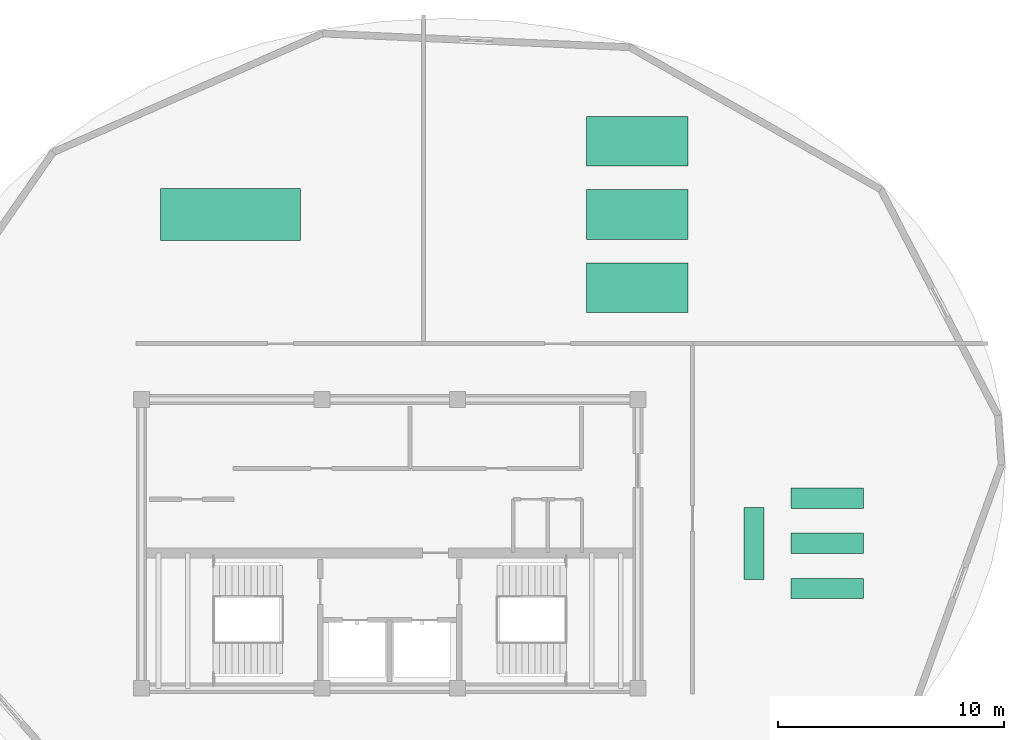
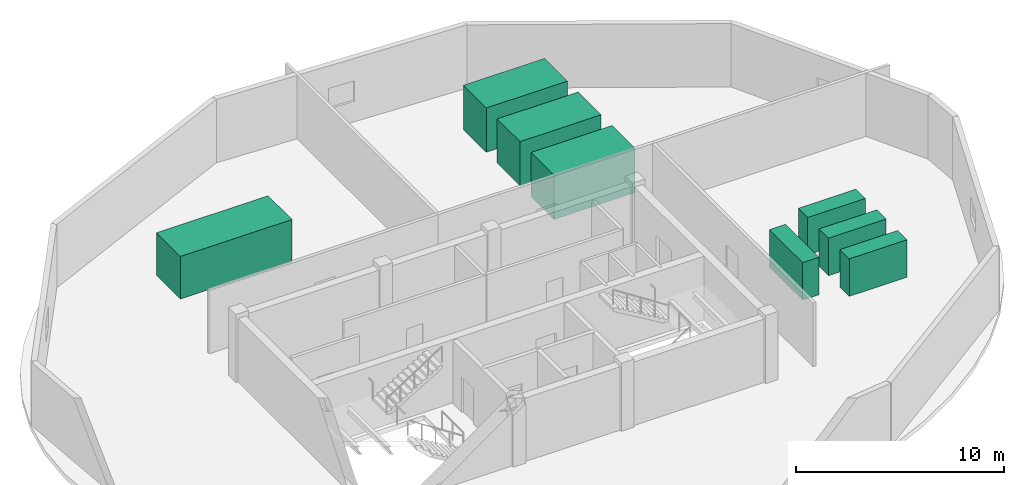
# One storey, part 4 of 4: 4 electric distribution boards, 3 air to air heat recovery elements, 1 chiller.
"""IFC4 building model written with IfcOpenShell, lengths in metres."""

from ifc_helpers import new_model, si_unit, direction, frame, origin, origin_2d, place, context, subcontext, project, spatial, rectangle, extrude, material, type_object, element, save


model = new_model("IFC4")

# Units and contexts
model_context = context("Model", 3, precision=1e-05, world=origin(), true_north=direction((0.0, 1.0)))
body_context = subcontext(model_context, "Body", "Model", "MODEL_VIEW")
ifc_project = project(units=[si_unit("LENGTHUNIT", "METRE"), si_unit("AREAUNIT", "SQUARE_METRE"), si_unit("VOLUMEUNIT", "CUBIC_METRE"), si_unit("PLANEANGLEUNIT", "RADIAN"), si_unit("MASSUNIT", "GRAM", prefix="KILO")], contexts=[model_context])

# Site, building, storey
site_placement = place(None, origin())
site = spatial("IfcSite", under=ifc_project, at=site_placement, CompositionType="ELEMENT")
building_placement = place(site_placement, origin())
building = spatial("IfcBuilding", under=site, at=building_placement, Name="Kazevale Care Tower and Concert Hall", CompositionType="ELEMENT")
storey_placement = place(building_placement, frame((0.0, 0.0, 300.800048828125)))
storey = spatial("IfcBuildingStorey", under=building, at=storey_placement, Name="L79", CompositionType="ELEMENT", Elevation=300.800048828125)

# Electric distribution boards
ifc_material = material(Name="Aluminium 6063-T6", Category="aluminium")
electric_distribution_board_type = type_object("IfcElectricDistributionBoardType", Name="Crown Switchgear Board 3200x900", PredefinedType="SWITCHBOARD", material=ifc_material)
for number, where, z_axis, x_axis, name in (
    (1, (52.39990234375, 30.02392578125, 0.0), (0.0, 0.0, 1.0), (1.0, 0.0, 0.0), "Crown Switchgear Board L79-1"),
    (2, (52.39990234375, 28.02392578125, 0.0), (0.0, 0.0, 1.0), (1.0, 0.0, 0.0), "Crown Switchgear Board L79-2"),
    (3, (52.39990234375, 32.02392578125, 0.0), (0.0, 0.0, 1.0), (1.0, 0.0, 0.0), "Crown Switchgear Board L79-3"),
    (4, (49.14990234375, 30.02392578125, 0.0), (0.0, 0.0, 1.0), (0.0, 1.0, 0.0), "Crown Switchgear Board L79-4"),
):
    element("IfcElectricDistributionBoard", number, at=place(storey_placement, frame(where, z_axis=z_axis, x_axis=x_axis)), inside=storey, type_object=electric_distribution_board_type, Name=name, PredefinedType="SWITCHBOARD", context=body_context, shape_type="SweptSolid", body=[
        extrude(rectangle(XDim=3.199951171875, YDim=0.89990234375, at=origin_2d()), origin(), (0.0, 0.0, 1.0), 2.199951171875),
    ])

# Air to air heat recovery
air_to_air_heat_recovery_type = type_object("IfcAirToAirHeatRecoveryType", Name="Enthalpy Heat Recovery Unit 4500x2200", PredefinedType="ROTARYWHEEL", material=ifc_material)
for number, where, z_axis, x_axis, name in (
    (5, (43.97509765625, 44.60009765625, 0.0), (0.0, 0.0, 1.0), (1.0, 0.0, 0.0), "Enthalpy Heat Recovery Unit L79-1"),
    (6, (43.97509765625, 47.85009765625, 0.0), (0.0, 0.0, 1.0), (1.0, 0.0, 0.0), "Enthalpy Heat Recovery Unit L79-2"),
    (7, (43.97509765625, 41.35009765625, 0.0), (0.0, 0.0, 1.0), (1.0, 0.0, 0.0), "Enthalpy Heat Recovery Unit L79-3"),
):
    element("IfcAirToAirHeatRecovery", number, at=place(storey_placement, frame(where, z_axis=z_axis, x_axis=x_axis)), inside=storey, type_object=air_to_air_heat_recovery_type, Name=name, PredefinedType="ROTARYWHEEL", context=body_context, shape_type="SweptSolid", body=[
        extrude(rectangle(XDim=4.5, YDim=2.199951171875, at=origin_2d()), origin(), (0.0, 0.0, 1.0), 2.60009765625),
    ])

# Chiller
chiller_type = type_object("IfcChillerType", Name="Water-Cooled Chiller 2200 kW 6200x2300", PredefinedType="WATERCOOLED", material=ifc_material)
chiller_placement = place(storey_placement, frame((25.94091796875, 44.60009765625, 0.0), z_axis=(0.0, 0.0, 1.0), x_axis=(1.0, 0.0, 0.0)))
element("IfcChiller", 8, at=chiller_placement, inside=storey, type_object=chiller_type, Name="Water-Cooled Chiller L79-1", PredefinedType="WATERCOOLED", context=body_context, shape_type="SweptSolid", body=[
    extrude(rectangle(XDim=6.199951171875, YDim=2.300048828125, at=origin_2d()), origin(), (0.0, 0.0, 1.0), 2.5),
])

save(model, "model.ifc")
